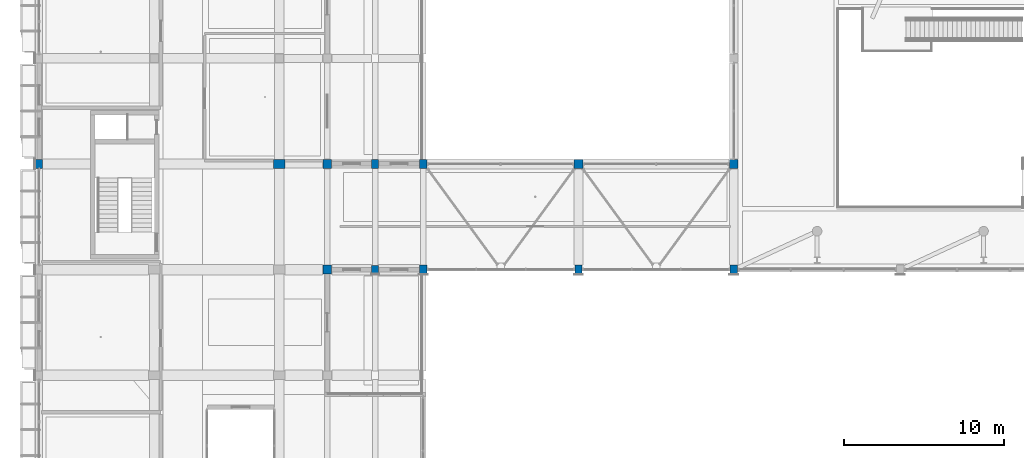
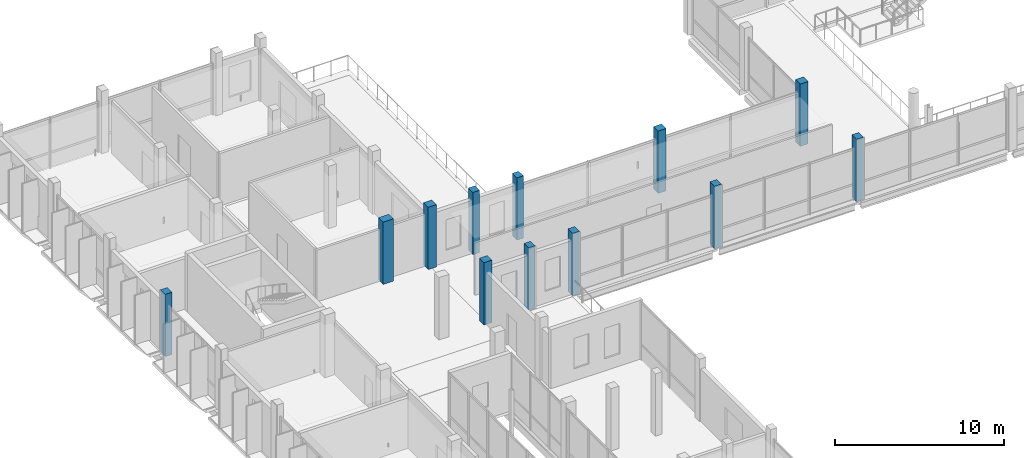
# One storey, part 5 of 95: 12 columns.
"""IFC4 building model written with IfcOpenShell, lengths in metres."""

from ifc_helpers import new_model, si_unit, derived_unit, direction, frame, origin, origin_2d, place, context, subcontext, project, spatial, rectangle, extrude, material, material_profile, profile_set, type_object, element, save


model = new_model("IFC4")

# Units and contexts
model_context = context("Model", 3, precision=1e-05, world=origin(), true_north=direction((0.0, 1.0)))
body_context = subcontext(model_context, "Body", "Model", "MODEL_VIEW")
ifc_project = project(units=[si_unit("LENGTHUNIT", "METRE"), si_unit("AREAUNIT", "SQUARE_METRE"), si_unit("VOLUMEUNIT", "CUBIC_METRE"), si_unit("PLANEANGLEUNIT", "RADIAN"), si_unit("MASSUNIT", "GRAM", prefix="KILO"), derived_unit("THERMALTRANSMITTANCEUNIT", [(si_unit("POWERUNIT", "WATT"), 1), (si_unit("LENGTHUNIT", "METRE"), -2), (si_unit("THERMODYNAMICTEMPERATUREUNIT", "KELVIN"), -1)])], contexts=[model_context])

# Site, building, storey
site_placement = place(None, origin())
site = spatial("IfcSite", under=ifc_project, at=site_placement, CompositionType="ELEMENT")
building_placement = place(site_placement, origin())
building = spatial("IfcBuilding", under=site, at=building_placement, Name="Braskholm Square Health Centre", CompositionType="ELEMENT")
storey_placement = place(building_placement, frame((0.0, 0.0, 4.800048828125)))
storey = spatial("IfcBuildingStorey", under=building, at=storey_placement, Name="L02", CompositionType="ELEMENT", Elevation=4.800048828125)

# Columns
ifc_material_1 = material(Name="Concrete C40/50 (f'c = 40 MPa)", Category="concrete")
ifc_material_profile_1 = material_profile(ifc_material_1, rectangle(XDim=0.699951171875, YDim=0.550048828125, at=origin_2d()), Name="RC-700X550")
ifc_profile_set_1 = profile_set([ifc_material_profile_1], Name="Concrete C40/50 (f'c = 40 MPa)")
column_type_1 = type_object("IfcColumnType", Name="ColImagingHeavy700x550", PredefinedType="COLUMN", material=ifc_profile_set_1)
column_placement = place(storey_placement, frame((19.199951171875, 93.800048828125, 0.0), z_axis=(0.0, 0.0, 1.0), x_axis=(1.0, 0.0, 0.0)))
element("IfcColumn", 1, at=column_placement, inside=storey, type_object=column_type_1, Name="Column 3/P L02", PredefinedType="COLUMN", context=body_context, shape_type="SweptSolid", body=[
    extrude(rectangle(XDim=0.699951171875, YDim=0.550048828125, at=origin_2d()), origin(), (0.0, 0.0, 1.0), 4.5),
])
ifc_material_profile_2 = material_profile(ifc_material_1, rectangle(XDim=0.550048828125, YDim=0.550048828125, at=origin_2d()), Name="RC-550X550")
ifc_profile_set_2 = profile_set([ifc_material_profile_2], Name="Concrete C40/50 (f'c = 40 MPa)")
column_type_2 = type_object("IfcColumnType", Name="ColInteriorMid550", PredefinedType="COLUMN", material=ifc_profile_set_2)
for number, where, z_axis, x_axis, name in (
    (2, (22.199951171875, 87.199951171875, 0.0), (0.0, 0.0, 1.0), (1.0, 0.0, 0.0), "Column 4/N L02"),
    (3, (22.199951171875, 93.800048828125, 0.0), (0.0, 0.0, 1.0), (1.0, 0.0, 0.0), "Column 4/P L02"),
    (4, (37.89990234375, 93.800048828125, 0.0), (0.0, 0.0, 1.0), (1.0, 0.0, 0.0), "Column 7/P L02"),
    (5, (47.60009765625, 93.800048828125, 0.0), (0.0, 0.0, 1.0), (1.0, 0.0, 0.0), "Column 8/P L02"),
):
    element("IfcColumn", number, at=place(storey_placement, frame(where, z_axis=z_axis, x_axis=x_axis)), inside=storey, type_object=column_type_2, Name=name, PredefinedType="COLUMN", context=body_context, shape_type="SweptSolid", body=[
        extrude(rectangle(XDim=0.550048828125, YDim=0.550048828125, at=origin_2d()), origin(), (0.0, 0.0, 1.0), 4.5),
    ])
ifc_material_2 = material(Name="Precast concrete C40/50 architectural white", Category="concrete")
ifc_material_profile_3 = material_profile(ifc_material_2, rectangle(XDim=0.43994140625, YDim=0.5400390625, at=origin_2d()), Name="RC-440X540")
ifc_profile_set_3 = profile_set([ifc_material_profile_3], Name="Precast concrete C40/50 architectural white")
column_type_3 = type_object("IfcColumnType", Name="ColPilasterKasota440x540", PredefinedType="PILASTER", material=ifc_profile_set_3)
for number, where, z_axis, x_axis, name in (
    (6, (25.199951171875, 87.199951171875, 0.0), (0.0, 0.0, 1.0), (1.0, 0.0, 0.0), "Column 5/N L02"),
    (7, (25.199951171875, 93.800048828125, 0.0), (0.0, 0.0, 1.0), (1.0, 0.0, 0.0), "Column 5/P L02"),
    (8, (28.199951171875, 93.800048828125, 0.0), (0.0, 0.0, 1.0), (1.0, 0.0, 0.0), "Column 6/P L02"),
):
    element("IfcColumn", number, at=place(storey_placement, frame(where, z_axis=z_axis, x_axis=x_axis)), inside=storey, type_object=column_type_3, Name=name, PredefinedType="PILASTER", context=body_context, shape_type="SweptSolid", body=[
        extrude(rectangle(XDim=0.43994140625, YDim=0.5400390625, at=origin_2d()), origin(), (0.0, 0.0, 1.0), 4.5),
    ])
ifc_material_profile_4 = material_profile(ifc_material_2, rectangle(XDim=0.4599609375, YDim=0.56005859375, at=origin_2d()), Name="RC-460X560")
ifc_profile_set_4 = profile_set([ifc_material_profile_4], Name="Precast concrete C40/50 architectural white")
column_type_4 = type_object("IfcColumnType", Name="ColPrecastFrame460x560", PredefinedType="COLUMN", material=ifc_profile_set_4)
for number, where, z_axis, x_axis, name in (
    (9, (4.199951171875, 93.800048828125, 0.0), (0.0, 0.0, 1.0), (1.0, 0.0, 0.0), "Column 1/P L02"),
    (10, (28.199951171875, 87.199951171875, 0.0), (0.0, 0.0, 1.0), (1.0, 0.0, 0.0), "Column 6/N L02"),
    (11, (37.89990234375, 87.199951171875, 0.0), (0.0, 0.0, 1.0), (1.0, 0.0, 0.0), "Column 7/N L02"),
    (12, (47.60009765625, 87.199951171875, 0.0), (0.0, 0.0, 1.0), (1.0, 0.0, 0.0), "Column 8/N L02"),
):
    element("IfcColumn", number, at=place(storey_placement, frame(where, z_axis=z_axis, x_axis=x_axis)), inside=storey, type_object=column_type_4, Name=name, PredefinedType="COLUMN", context=body_context, shape_type="SweptSolid", body=[
        extrude(rectangle(XDim=0.4599609375, YDim=0.56005859375, at=origin_2d()), origin(), (0.0, 0.0, 1.0), 4.5),
    ])

save(model, "model.ifc")
